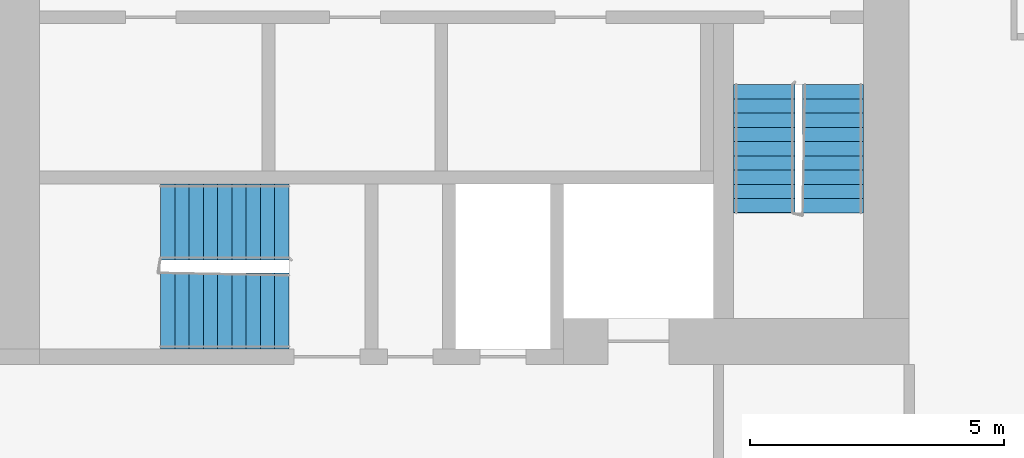
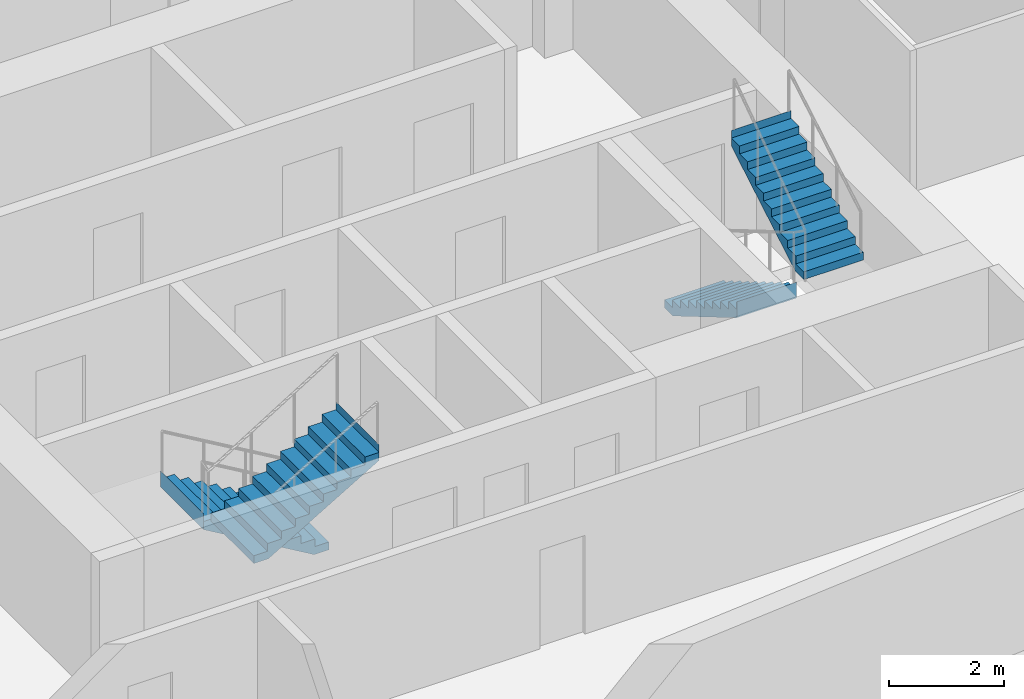
# One storey, part 8 of 11: 4 stair flights, 2 elements without a shape of their own.
"""IFC4 building model written with IfcOpenShell, lengths in metres."""

from ifc_helpers import new_model, si_unit, direction, frame, origin, place, context, subcontext, project, spatial, faceted_brep, material, type_object, element, aggregate, save


model = new_model("IFC4")

# Units and contexts
model_context = context("Model", 3, precision=1e-05, world=origin(), true_north=direction((0.0, 1.0)))
body_context = subcontext(model_context, "Body", "Model", "MODEL_VIEW")
ifc_project = project(units=[si_unit("LENGTHUNIT", "METRE"), si_unit("AREAUNIT", "SQUARE_METRE"), si_unit("VOLUMEUNIT", "CUBIC_METRE"), si_unit("PLANEANGLEUNIT", "RADIAN"), si_unit("MASSUNIT", "GRAM", prefix="KILO")], contexts=[model_context])

# Site, building, storey
site_placement = place(None, origin())
site = spatial("IfcSite", under=ifc_project, at=site_placement, CompositionType="ELEMENT")
building_placement = place(site_placement, origin())
building = spatial("IfcBuilding", under=site, at=building_placement, Name="Kajstack Hotel Tower", CompositionType="ELEMENT")
storey_placement = place(building_placement, frame((0.0, 0.0, 271.800048828125)))
storey = spatial("IfcBuildingStorey", under=building, at=storey_placement, Name="L67", CompositionType="ELEMENT", Elevation=271.800048828125)

# Stair, stair flights
ifc_material = material(Name="Concrete C40/50", Category="concrete")
stair_type_1 = type_object("IfcStairType", Name="Exit stair 1200", PredefinedType="HALF_TURN_STAIR", material=ifc_material)
stair_1_placement = place(storey_placement, origin())
stair_1 = element("IfcStair", 1, at=stair_1_placement, inside=storey, type_object=stair_type_1, Name="L67 stair W2", PredefinedType="HALF_TURN_STAIR")
stair_flight_type_1 = type_object("IfcStairFlightType", Name="Exit stair flight 1200", PredefinedType="STRAIGHT", material=ifc_material)
stair_flight_1_placement = place(storey_placement, frame((-16.35009765625, -10.0, 0.0), z_axis=(0.0, 0.0, 1.0), x_axis=(0.0, -1.0, 0.0)))
stair_flight_1 = element("IfcStairFlight", 2, at=stair_flight_1_placement, type_object=stair_flight_type_1, Name="W2 flight 1", NumberOfRisers=10, NumberOfTreads=9, PredefinedType="STRAIGHT", RiserHeight=0.165, TreadLength=0.28, context=body_context, shape_type="Brep", body=[
    faceted_brep([(0.295654296875, -0.60009765625, 0.0), (2.5205078125, -0.60009765625, 1.31103515625), (2.5205078125, -0.60009765625, 1.64990234375), (2.52001953125, -0.60009765625, 1.64990234375), (2.52001953125, -0.60009765625, 1.485107421875), (2.239990234375, -0.60009765625, 1.485107421875), (2.239990234375, -0.60009765625, 1.320068359375), (1.9599609375, -0.60009765625, 1.320068359375), (1.9599609375, -0.60009765625, 1.155029296875), (1.679931640625, -0.60009765625, 1.155029296875), (1.679931640625, -0.60009765625, 0.989990234375), (1.39990234375, -0.60009765625, 0.989990234375), (1.39990234375, -0.60009765625, 0.824951171875), (1.1201171875, -0.60009765625, 0.824951171875), (1.1201171875, -0.60009765625, 0.659912109375), (0.840087890625, -0.60009765625, 0.659912109375), (0.840087890625, -0.60009765625, 0.4951171875), (0.56005859375, -0.60009765625, 0.4951171875), (0.56005859375, -0.60009765625, 0.330078125), (0.280029296875, -0.60009765625, 0.330078125), (0.280029296875, -0.60009765625, 0.1650390625), (-0.00048828125, -0.60009765625, 0.1650390625), (-0.00048828125, -0.60009765625, 0.0), (-0.00048828125, 0.60009765625, 0.0), (-0.00048828125, 0.60009765625, 0.1650390625), (0.280029296875, 0.60009765625, 0.1650390625), (0.280029296875, 0.60009765625, 0.330078125), (0.56005859375, 0.60009765625, 0.330078125), (0.56005859375, 0.60009765625, 0.4951171875), (0.840087890625, 0.60009765625, 0.4951171875), (0.840087890625, 0.60009765625, 0.659912109375), (1.1201171875, 0.60009765625, 0.659912109375), (1.1201171875, 0.60009765625, 0.824951171875), (1.39990234375, 0.60009765625, 0.824951171875), (1.39990234375, 0.60009765625, 0.989990234375), (1.679931640625, 0.60009765625, 0.989990234375), (1.679931640625, 0.60009765625, 1.155029296875), (1.9599609375, 0.60009765625, 1.155029296875), (1.9599609375, 0.60009765625, 1.320068359375), (2.239990234375, 0.60009765625, 1.320068359375), (2.239990234375, 0.60009765625, 1.485107421875), (2.52001953125, 0.60009765625, 1.485107421875), (2.52001953125, 0.60009765625, 1.64990234375), (2.5205078125, 0.60009765625, 1.64990234375), (2.5205078125, 0.60009765625, 1.31103515625), (0.295654296875, 0.60009765625, 0.0), (-0.00048828125, -0.300048828125, 0.1650390625), (-0.00048828125, 0.0, 0.1650390625), (-0.00048828125, 0.300048828125, 0.1650390625), (-0.00048828125, 0.300048828125, 0.0), (-0.00048828125, 0.0, 0.0), (-0.00048828125, -0.300048828125, 0.0), (0.280029296875, -0.300048828125, 0.1650390625), (0.280029296875, 0.0, 0.1650390625), (0.280029296875, 0.300048828125, 0.1650390625), (0.280029296875, -0.300048828125, 0.330078125), (0.280029296875, 0.0, 0.330078125), (0.280029296875, 0.300048828125, 0.330078125), (0.56005859375, -0.300048828125, 0.330078125), (0.56005859375, 0.0, 0.330078125), (0.56005859375, 0.300048828125, 0.330078125), (0.56005859375, -0.300048828125, 0.4951171875), (0.56005859375, 0.0, 0.4951171875), (0.56005859375, 0.300048828125, 0.4951171875), (0.840087890625, -0.300048828125, 0.4951171875), (0.840087890625, 0.0, 0.4951171875), (0.840087890625, 0.300048828125, 0.4951171875), (0.840087890625, -0.300048828125, 0.659912109375), (0.840087890625, 0.0, 0.659912109375), (0.840087890625, 0.300048828125, 0.659912109375), (1.1201171875, -0.300048828125, 0.659912109375), (1.1201171875, 0.0, 0.659912109375), (1.1201171875, 0.300048828125, 0.659912109375), (1.1201171875, -0.300048828125, 0.824951171875), (1.1201171875, 0.0, 0.824951171875), (1.1201171875, 0.300048828125, 0.824951171875), (1.39990234375, -0.300048828125, 0.824951171875), (1.39990234375, 0.0, 0.824951171875), (1.39990234375, 0.300048828125, 0.824951171875), (1.39990234375, -0.300048828125, 0.989990234375), (1.39990234375, 0.0, 0.989990234375), (1.39990234375, 0.300048828125, 0.989990234375), (1.679931640625, -0.300048828125, 0.989990234375), (1.679931640625, 0.0, 0.989990234375), (1.679931640625, 0.300048828125, 0.989990234375), (1.679931640625, -0.300048828125, 1.155029296875), (1.679931640625, 0.0, 1.155029296875), (1.679931640625, 0.300048828125, 1.155029296875), (1.9599609375, -0.300048828125, 1.155029296875), (1.9599609375, 0.0, 1.155029296875), (1.9599609375, 0.300048828125, 1.155029296875), (1.9599609375, -0.300048828125, 1.320068359375), (1.9599609375, 0.0, 1.320068359375), (1.9599609375, 0.300048828125, 1.320068359375), (2.239990234375, -0.300048828125, 1.320068359375), (2.239990234375, 0.0, 1.320068359375), (2.239990234375, 0.300048828125, 1.320068359375), (2.239990234375, -0.300048828125, 1.485107421875), (2.239990234375, 0.0, 1.485107421875), (2.239990234375, 0.300048828125, 1.485107421875), (2.52001953125, -0.300048828125, 1.485107421875), (2.52001953125, 0.0, 1.485107421875), (2.52001953125, 0.300048828125, 1.485107421875), (2.52001953125, -0.300048828125, 1.64990234375), (2.52001953125, 0.0, 1.64990234375), (2.52001953125, 0.300048828125, 1.64990234375), (2.5205078125, -0.300048828125, 1.64990234375), (2.5205078125, 0.0, 1.64990234375), (2.5205078125, 0.300048828125, 1.64990234375), (2.5205078125, -0.300048828125, 1.31103515625), (2.5205078125, 0.0, 1.31103515625), (2.5205078125, 0.300048828125, 1.31103515625), (0.295654296875, -0.300048828125, 0.0), (0.295654296875, 0.0, 0.0), (0.295654296875, 0.300048828125, 0.0)], [[[0, 1, 2, 3, 4, 5, 6, 7, 8, 9, 10, 11, 12, 13, 14, 15, 16, 17, 18, 19, 20, 21, 22]], [[23, 24, 25, 26, 27, 28, 29, 30, 31, 32, 33, 34, 35, 36, 37, 38, 39, 40, 41, 42, 43, 44, 45]], [[21, 46, 47, 48, 24, 23, 49, 50, 51, 22]], [[20, 52, 53, 54, 25, 24, 48, 47, 46, 21]], [[19, 55, 56, 57, 26, 25, 54, 53, 52, 20]], [[18, 58, 59, 60, 27, 26, 57, 56, 55, 19]], [[17, 61, 62, 63, 28, 27, 60, 59, 58, 18]], [[16, 64, 65, 66, 29, 28, 63, 62, 61, 17]], [[15, 67, 68, 69, 30, 29, 66, 65, 64, 16]], [[14, 70, 71, 72, 31, 30, 69, 68, 67, 15]], [[13, 73, 74, 75, 32, 31, 72, 71, 70, 14]], [[12, 76, 77, 78, 33, 32, 75, 74, 73, 13]], [[11, 79, 80, 81, 34, 33, 78, 77, 76, 12]], [[10, 82, 83, 84, 35, 34, 81, 80, 79, 11]], [[9, 85, 86, 87, 36, 35, 84, 83, 82, 10]], [[8, 88, 89, 90, 37, 36, 87, 86, 85, 9]], [[7, 91, 92, 93, 38, 37, 90, 89, 88, 8]], [[6, 94, 95, 96, 39, 38, 93, 92, 91, 7]], [[5, 97, 98, 99, 40, 39, 96, 95, 94, 6]], [[4, 100, 101, 102, 41, 40, 99, 98, 97, 5]], [[3, 103, 104, 105, 42, 41, 102, 101, 100, 4]], [[2, 106, 107, 108, 43, 42, 105, 104, 103, 3]], [[1, 109, 110, 111, 44, 43, 108, 107, 106, 2]], [[0, 112, 113, 114, 45, 44, 111, 110, 109, 1]], [[22, 51, 50, 49, 23, 45, 114, 113, 112, 0]]]),
])
stair_flight_2_placement = place(storey_placement, frame((-15.0, -12.52001953125, 1.64990234375), z_axis=(0.0, 0.0, 1.0), x_axis=(0.0, 1.0, 0.0)))
stair_flight_2 = element("IfcStairFlight", 3, at=stair_flight_2_placement, type_object=stair_flight_type_1, Name="W2 flight 2", NumberOfRisers=10, NumberOfTreads=9, PredefinedType="STRAIGHT", RiserHeight=0.165, TreadLength=0.28, context=body_context, shape_type="Brep", body=[
    faceted_brep([(0.295654296875, -0.60009765625, 0.0), (2.5205078125, -0.60009765625, 1.31103515625), (2.5205078125, -0.60009765625, 1.64990234375), (2.52001953125, -0.60009765625, 1.64990234375), (2.52001953125, -0.60009765625, 1.485107421875), (2.239990234375, -0.60009765625, 1.485107421875), (2.239990234375, -0.60009765625, 1.320068359375), (1.9599609375, -0.60009765625, 1.320068359375), (1.9599609375, -0.60009765625, 1.155029296875), (1.679931640625, -0.60009765625, 1.155029296875), (1.679931640625, -0.60009765625, 0.989990234375), (1.39990234375, -0.60009765625, 0.989990234375), (1.39990234375, -0.60009765625, 0.824951171875), (1.1201171875, -0.60009765625, 0.824951171875), (1.1201171875, -0.60009765625, 0.659912109375), (0.840087890625, -0.60009765625, 0.659912109375), (0.840087890625, -0.60009765625, 0.4951171875), (0.56005859375, -0.60009765625, 0.4951171875), (0.56005859375, -0.60009765625, 0.330078125), (0.280029296875, -0.60009765625, 0.330078125), (0.280029296875, -0.60009765625, 0.1650390625), (-0.00048828125, -0.60009765625, 0.1650390625), (-0.00048828125, -0.60009765625, 0.0), (-0.00048828125, 0.60009765625, 0.0), (-0.00048828125, 0.60009765625, 0.1650390625), (0.280029296875, 0.60009765625, 0.1650390625), (0.280029296875, 0.60009765625, 0.330078125), (0.56005859375, 0.60009765625, 0.330078125), (0.56005859375, 0.60009765625, 0.4951171875), (0.840087890625, 0.60009765625, 0.4951171875), (0.840087890625, 0.60009765625, 0.659912109375), (1.1201171875, 0.60009765625, 0.659912109375), (1.1201171875, 0.60009765625, 0.824951171875), (1.39990234375, 0.60009765625, 0.824951171875), (1.39990234375, 0.60009765625, 0.989990234375), (1.679931640625, 0.60009765625, 0.989990234375), (1.679931640625, 0.60009765625, 1.155029296875), (1.9599609375, 0.60009765625, 1.155029296875), (1.9599609375, 0.60009765625, 1.320068359375), (2.239990234375, 0.60009765625, 1.320068359375), (2.239990234375, 0.60009765625, 1.485107421875), (2.52001953125, 0.60009765625, 1.485107421875), (2.52001953125, 0.60009765625, 1.64990234375), (2.5205078125, 0.60009765625, 1.64990234375), (2.5205078125, 0.60009765625, 1.31103515625), (0.295654296875, 0.60009765625, 0.0), (-0.00048828125, -0.300048828125, 0.1650390625), (-0.00048828125, 0.0, 0.1650390625), (-0.00048828125, 0.300048828125, 0.1650390625), (-0.00048828125, 0.300048828125, 0.0), (-0.00048828125, 0.0, 0.0), (-0.00048828125, -0.300048828125, 0.0), (0.280029296875, -0.300048828125, 0.1650390625), (0.280029296875, 0.0, 0.1650390625), (0.280029296875, 0.300048828125, 0.1650390625), (0.280029296875, -0.300048828125, 0.330078125), (0.280029296875, 0.0, 0.330078125), (0.280029296875, 0.300048828125, 0.330078125), (0.56005859375, -0.300048828125, 0.330078125), (0.56005859375, 0.0, 0.330078125), (0.56005859375, 0.300048828125, 0.330078125), (0.56005859375, -0.300048828125, 0.4951171875), (0.56005859375, 0.0, 0.4951171875), (0.56005859375, 0.300048828125, 0.4951171875), (0.840087890625, -0.300048828125, 0.4951171875), (0.840087890625, 0.0, 0.4951171875), (0.840087890625, 0.300048828125, 0.4951171875), (0.840087890625, -0.300048828125, 0.659912109375), (0.840087890625, 0.0, 0.659912109375), (0.840087890625, 0.300048828125, 0.659912109375), (1.1201171875, -0.300048828125, 0.659912109375), (1.1201171875, 0.0, 0.659912109375), (1.1201171875, 0.300048828125, 0.659912109375), (1.1201171875, -0.300048828125, 0.824951171875), (1.1201171875, 0.0, 0.824951171875), (1.1201171875, 0.300048828125, 0.824951171875), (1.39990234375, -0.300048828125, 0.824951171875), (1.39990234375, 0.0, 0.824951171875), (1.39990234375, 0.300048828125, 0.824951171875), (1.39990234375, -0.300048828125, 0.989990234375), (1.39990234375, 0.0, 0.989990234375), (1.39990234375, 0.300048828125, 0.989990234375), (1.679931640625, -0.300048828125, 0.989990234375), (1.679931640625, 0.0, 0.989990234375), (1.679931640625, 0.300048828125, 0.989990234375), (1.679931640625, -0.300048828125, 1.155029296875), (1.679931640625, 0.0, 1.155029296875), (1.679931640625, 0.300048828125, 1.155029296875), (1.9599609375, -0.300048828125, 1.155029296875), (1.9599609375, 0.0, 1.155029296875), (1.9599609375, 0.300048828125, 1.155029296875), (1.9599609375, -0.300048828125, 1.320068359375), (1.9599609375, 0.0, 1.320068359375), (1.9599609375, 0.300048828125, 1.320068359375), (2.239990234375, -0.300048828125, 1.320068359375), (2.239990234375, 0.0, 1.320068359375), (2.239990234375, 0.300048828125, 1.320068359375), (2.239990234375, -0.300048828125, 1.485107421875), (2.239990234375, 0.0, 1.485107421875), (2.239990234375, 0.300048828125, 1.485107421875), (2.52001953125, -0.300048828125, 1.485107421875), (2.52001953125, 0.0, 1.485107421875), (2.52001953125, 0.300048828125, 1.485107421875), (2.52001953125, -0.300048828125, 1.64990234375), (2.52001953125, 0.0, 1.64990234375), (2.52001953125, 0.300048828125, 1.64990234375), (2.5205078125, -0.300048828125, 1.64990234375), (2.5205078125, 0.0, 1.64990234375), (2.5205078125, 0.300048828125, 1.64990234375), (2.5205078125, -0.300048828125, 1.31103515625), (2.5205078125, 0.0, 1.31103515625), (2.5205078125, 0.300048828125, 1.31103515625), (0.295654296875, -0.300048828125, 0.0), (0.295654296875, 0.0, 0.0), (0.295654296875, 0.300048828125, 0.0)], [[[0, 1, 2, 3, 4, 5, 6, 7, 8, 9, 10, 11, 12, 13, 14, 15, 16, 17, 18, 19, 20, 21, 22]], [[23, 24, 25, 26, 27, 28, 29, 30, 31, 32, 33, 34, 35, 36, 37, 38, 39, 40, 41, 42, 43, 44, 45]], [[21, 46, 47, 48, 24, 23, 49, 50, 51, 22]], [[20, 52, 53, 54, 25, 24, 48, 47, 46, 21]], [[19, 55, 56, 57, 26, 25, 54, 53, 52, 20]], [[18, 58, 59, 60, 27, 26, 57, 56, 55, 19]], [[17, 61, 62, 63, 28, 27, 60, 59, 58, 18]], [[16, 64, 65, 66, 29, 28, 63, 62, 61, 17]], [[15, 67, 68, 69, 30, 29, 66, 65, 64, 16]], [[14, 70, 71, 72, 31, 30, 69, 68, 67, 15]], [[13, 73, 74, 75, 32, 31, 72, 71, 70, 14]], [[12, 76, 77, 78, 33, 32, 75, 74, 73, 13]], [[11, 79, 80, 81, 34, 33, 78, 77, 76, 12]], [[10, 82, 83, 84, 35, 34, 81, 80, 79, 11]], [[9, 85, 86, 87, 36, 35, 84, 83, 82, 10]], [[8, 88, 89, 90, 37, 36, 87, 86, 85, 9]], [[7, 91, 92, 93, 38, 37, 90, 89, 88, 8]], [[6, 94, 95, 96, 39, 38, 93, 92, 91, 7]], [[5, 97, 98, 99, 40, 39, 96, 95, 94, 6]], [[4, 100, 101, 102, 41, 40, 99, 98, 97, 5]], [[3, 103, 104, 105, 42, 41, 102, 101, 100, 4]], [[2, 106, 107, 108, 43, 42, 105, 104, 103, 3]], [[1, 109, 110, 111, 44, 43, 108, 107, 106, 2]], [[0, 112, 113, 114, 45, 44, 111, 110, 109, 1]], [[22, 51, 50, 49, 23, 45, 114, 113, 112, 0]]]),
])
aggregate(stair_1, [stair_flight_1, stair_flight_2])

stair_type_2 = type_object("IfcStairType", Name="Exit stair 1500", PredefinedType="HALF_TURN_STAIR", material=ifc_material)
stair_2_placement = place(storey_placement, origin())
stair_2 = element("IfcStair", 4, at=stair_2_placement, inside=storey, type_object=stair_type_2, Name="L67 stair W3", PredefinedType="HALF_TURN_STAIR")
stair_flight_type_2 = type_object("IfcStairFlightType", Name="Exit stair flight 1500", PredefinedType="STRAIGHT", material=ifc_material)
stair_flight_3_placement = place(storey_placement, frame((-25.699951171875, -12.699951171875, 0.0), z_axis=(0.0, 0.0, 1.0), x_axis=(-1.0, 0.0, 0.0)))
stair_flight_3 = element("IfcStairFlight", 5, at=stair_flight_3_placement, type_object=stair_flight_type_2, Name="W3 flight 1", NumberOfRisers=10, NumberOfTreads=9, PredefinedType="STRAIGHT", RiserHeight=0.165, TreadLength=0.28, context=body_context, shape_type="Brep", body=[
    faceted_brep([(0.295654296875, -0.75, 0.0), (2.5205078125, -0.75, 1.31103515625), (2.5205078125, -0.75, 1.64990234375), (2.52001953125, -0.75, 1.64990234375), (2.52001953125, -0.75, 1.485107421875), (2.239990234375, -0.75, 1.485107421875), (2.239990234375, -0.75, 1.320068359375), (1.9599609375, -0.75, 1.320068359375), (1.9599609375, -0.75, 1.155029296875), (1.679931640625, -0.75, 1.155029296875), (1.679931640625, -0.75, 0.989990234375), (1.39990234375, -0.75, 0.989990234375), (1.39990234375, -0.75, 0.824951171875), (1.1201171875, -0.75, 0.824951171875), (1.1201171875, -0.75, 0.659912109375), (0.840087890625, -0.75, 0.659912109375), (0.840087890625, -0.75, 0.4951171875), (0.56005859375, -0.75, 0.4951171875), (0.56005859375, -0.75, 0.330078125), (0.280029296875, -0.75, 0.330078125), (0.280029296875, -0.75, 0.1650390625), (-0.00048828125, -0.75, 0.1650390625), (-0.00048828125, -0.75, 0.0), (-0.00048828125, 0.75, 0.0), (-0.00048828125, 0.75, 0.1650390625), (0.280029296875, 0.75, 0.1650390625), (0.280029296875, 0.75, 0.330078125), (0.56005859375, 0.75, 0.330078125), (0.56005859375, 0.75, 0.4951171875), (0.840087890625, 0.75, 0.4951171875), (0.840087890625, 0.75, 0.659912109375), (1.1201171875, 0.75, 0.659912109375), (1.1201171875, 0.75, 0.824951171875), (1.39990234375, 0.75, 0.824951171875), (1.39990234375, 0.75, 0.989990234375), (1.679931640625, 0.75, 0.989990234375), (1.679931640625, 0.75, 1.155029296875), (1.9599609375, 0.75, 1.155029296875), (1.9599609375, 0.75, 1.320068359375), (2.239990234375, 0.75, 1.320068359375), (2.239990234375, 0.75, 1.485107421875), (2.52001953125, 0.75, 1.485107421875), (2.52001953125, 0.75, 1.64990234375), (2.5205078125, 0.75, 1.64990234375), (2.5205078125, 0.75, 1.31103515625), (0.295654296875, 0.75, 0.0), (-0.00048828125, -0.375, 0.1650390625), (-0.00048828125, 0.0, 0.1650390625), (-0.00048828125, 0.375, 0.1650390625), (-0.00048828125, 0.375, 0.0), (-0.00048828125, 0.0, 0.0), (-0.00048828125, -0.375, 0.0), (0.280029296875, -0.375, 0.1650390625), (0.280029296875, 0.0, 0.1650390625), (0.280029296875, 0.375, 0.1650390625), (0.280029296875, -0.375, 0.330078125), (0.280029296875, 0.0, 0.330078125), (0.280029296875, 0.375, 0.330078125), (0.56005859375, -0.375, 0.330078125), (0.56005859375, 0.0, 0.330078125), (0.56005859375, 0.375, 0.330078125), (0.56005859375, -0.375, 0.4951171875), (0.56005859375, 0.0, 0.4951171875), (0.56005859375, 0.375, 0.4951171875), (0.840087890625, -0.375, 0.4951171875), (0.840087890625, 0.0, 0.4951171875), (0.840087890625, 0.375, 0.4951171875), (0.840087890625, -0.375, 0.659912109375), (0.840087890625, 0.0, 0.659912109375), (0.840087890625, 0.375, 0.659912109375), (1.1201171875, -0.375, 0.659912109375), (1.1201171875, 0.0, 0.659912109375), (1.1201171875, 0.375, 0.659912109375), (1.1201171875, -0.375, 0.824951171875), (1.1201171875, 0.0, 0.824951171875), (1.1201171875, 0.375, 0.824951171875), (1.39990234375, -0.375, 0.824951171875), (1.39990234375, 0.0, 0.824951171875), (1.39990234375, 0.375, 0.824951171875), (1.39990234375, -0.375, 0.989990234375), (1.39990234375, 0.0, 0.989990234375), (1.39990234375, 0.375, 0.989990234375), (1.679931640625, -0.375, 0.989990234375), (1.679931640625, 0.0, 0.989990234375), (1.679931640625, 0.375, 0.989990234375), (1.679931640625, -0.375, 1.155029296875), (1.679931640625, 0.0, 1.155029296875), (1.679931640625, 0.375, 1.155029296875), (1.9599609375, -0.375, 1.155029296875), (1.9599609375, 0.0, 1.155029296875), (1.9599609375, 0.375, 1.155029296875), (1.9599609375, -0.375, 1.320068359375), (1.9599609375, 0.0, 1.320068359375), (1.9599609375, 0.375, 1.320068359375), (2.239990234375, -0.375, 1.320068359375), (2.239990234375, 0.0, 1.320068359375), (2.239990234375, 0.375, 1.320068359375), (2.239990234375, -0.375, 1.485107421875), (2.239990234375, 0.0, 1.485107421875), (2.239990234375, 0.375, 1.485107421875), (2.52001953125, -0.375, 1.485107421875), (2.52001953125, 0.0, 1.485107421875), (2.52001953125, 0.375, 1.485107421875), (2.52001953125, -0.375, 1.64990234375), (2.52001953125, 0.0, 1.64990234375), (2.52001953125, 0.375, 1.64990234375), (2.5205078125, -0.375, 1.64990234375), (2.5205078125, 0.0, 1.64990234375), (2.5205078125, 0.375, 1.64990234375), (2.5205078125, -0.375, 1.31103515625), (2.5205078125, 0.0, 1.31103515625), (2.5205078125, 0.375, 1.31103515625), (0.295654296875, -0.375, 0.0), (0.295654296875, 0.0, 0.0), (0.295654296875, 0.375, 0.0)], [[[0, 1, 2, 3, 4, 5, 6, 7, 8, 9, 10, 11, 12, 13, 14, 15, 16, 17, 18, 19, 20, 21, 22]], [[23, 24, 25, 26, 27, 28, 29, 30, 31, 32, 33, 34, 35, 36, 37, 38, 39, 40, 41, 42, 43, 44, 45]], [[21, 46, 47, 48, 24, 23, 49, 50, 51, 22]], [[20, 52, 53, 54, 25, 24, 48, 47, 46, 21]], [[19, 55, 56, 57, 26, 25, 54, 53, 52, 20]], [[18, 58, 59, 60, 27, 26, 57, 56, 55, 19]], [[17, 61, 62, 63, 28, 27, 60, 59, 58, 18]], [[16, 64, 65, 66, 29, 28, 63, 62, 61, 17]], [[15, 67, 68, 69, 30, 29, 66, 65, 64, 16]], [[14, 70, 71, 72, 31, 30, 69, 68, 67, 15]], [[13, 73, 74, 75, 32, 31, 72, 71, 70, 14]], [[12, 76, 77, 78, 33, 32, 75, 74, 73, 13]], [[11, 79, 80, 81, 34, 33, 78, 77, 76, 12]], [[10, 82, 83, 84, 35, 34, 81, 80, 79, 11]], [[9, 85, 86, 87, 36, 35, 84, 83, 82, 10]], [[8, 88, 89, 90, 37, 36, 87, 86, 85, 9]], [[7, 91, 92, 93, 38, 37, 90, 89, 88, 8]], [[6, 94, 95, 96, 39, 38, 93, 92, 91, 7]], [[5, 97, 98, 99, 40, 39, 96, 95, 94, 6]], [[4, 100, 101, 102, 41, 40, 99, 98, 97, 5]], [[3, 103, 104, 105, 42, 41, 102, 101, 100, 4]], [[2, 106, 107, 108, 43, 42, 105, 104, 103, 3]], [[1, 109, 110, 111, 44, 43, 108, 107, 106, 2]], [[0, 112, 113, 114, 45, 44, 111, 110, 109, 1]], [[22, 51, 50, 49, 23, 45, 114, 113, 112, 0]]]),
])
stair_flight_4_placement = place(storey_placement, frame((-28.219970703125, -14.449951171875, 1.64990234375), z_axis=(0.0, 0.0, 1.0), x_axis=(1.0, 0.0, 0.0)))
stair_flight_4 = element("IfcStairFlight", 6, at=stair_flight_4_placement, type_object=stair_flight_type_2, Name="W3 flight 2", NumberOfRisers=10, NumberOfTreads=9, PredefinedType="STRAIGHT", RiserHeight=0.165, TreadLength=0.28, context=body_context, shape_type="Brep", body=[
    faceted_brep([(0.295654296875, -0.75, 0.0), (2.5205078125, -0.75, 1.31103515625), (2.5205078125, -0.75, 1.64990234375), (2.52001953125, -0.75, 1.64990234375), (2.52001953125, -0.75, 1.485107421875), (2.239990234375, -0.75, 1.485107421875), (2.239990234375, -0.75, 1.320068359375), (1.9599609375, -0.75, 1.320068359375), (1.9599609375, -0.75, 1.155029296875), (1.679931640625, -0.75, 1.155029296875), (1.679931640625, -0.75, 0.989990234375), (1.39990234375, -0.75, 0.989990234375), (1.39990234375, -0.75, 0.824951171875), (1.1201171875, -0.75, 0.824951171875), (1.1201171875, -0.75, 0.659912109375), (0.840087890625, -0.75, 0.659912109375), (0.840087890625, -0.75, 0.4951171875), (0.56005859375, -0.75, 0.4951171875), (0.56005859375, -0.75, 0.330078125), (0.280029296875, -0.75, 0.330078125), (0.280029296875, -0.75, 0.1650390625), (-0.00048828125, -0.75, 0.1650390625), (-0.00048828125, -0.75, 0.0), (-0.00048828125, 0.75, 0.0), (-0.00048828125, 0.75, 0.1650390625), (0.280029296875, 0.75, 0.1650390625), (0.280029296875, 0.75, 0.330078125), (0.56005859375, 0.75, 0.330078125), (0.56005859375, 0.75, 0.4951171875), (0.840087890625, 0.75, 0.4951171875), (0.840087890625, 0.75, 0.659912109375), (1.1201171875, 0.75, 0.659912109375), (1.1201171875, 0.75, 0.824951171875), (1.39990234375, 0.75, 0.824951171875), (1.39990234375, 0.75, 0.989990234375), (1.679931640625, 0.75, 0.989990234375), (1.679931640625, 0.75, 1.155029296875), (1.9599609375, 0.75, 1.155029296875), (1.9599609375, 0.75, 1.320068359375), (2.239990234375, 0.75, 1.320068359375), (2.239990234375, 0.75, 1.485107421875), (2.52001953125, 0.75, 1.485107421875), (2.52001953125, 0.75, 1.64990234375), (2.5205078125, 0.75, 1.64990234375), (2.5205078125, 0.75, 1.31103515625), (0.295654296875, 0.75, 0.0), (-0.00048828125, -0.375, 0.1650390625), (-0.00048828125, 0.0, 0.1650390625), (-0.00048828125, 0.375, 0.1650390625), (-0.00048828125, 0.375, 0.0), (-0.00048828125, 0.0, 0.0), (-0.00048828125, -0.375, 0.0), (0.280029296875, -0.375, 0.1650390625), (0.280029296875, 0.0, 0.1650390625), (0.280029296875, 0.375, 0.1650390625), (0.280029296875, -0.375, 0.330078125), (0.280029296875, 0.0, 0.330078125), (0.280029296875, 0.375, 0.330078125), (0.56005859375, -0.375, 0.330078125), (0.56005859375, 0.0, 0.330078125), (0.56005859375, 0.375, 0.330078125), (0.56005859375, -0.375, 0.4951171875), (0.56005859375, 0.0, 0.4951171875), (0.56005859375, 0.375, 0.4951171875), (0.840087890625, -0.375, 0.4951171875), (0.840087890625, 0.0, 0.4951171875), (0.840087890625, 0.375, 0.4951171875), (0.840087890625, -0.375, 0.659912109375), (0.840087890625, 0.0, 0.659912109375), (0.840087890625, 0.375, 0.659912109375), (1.1201171875, -0.375, 0.659912109375), (1.1201171875, 0.0, 0.659912109375), (1.1201171875, 0.375, 0.659912109375), (1.1201171875, -0.375, 0.824951171875), (1.1201171875, 0.0, 0.824951171875), (1.1201171875, 0.375, 0.824951171875), (1.39990234375, -0.375, 0.824951171875), (1.39990234375, 0.0, 0.824951171875), (1.39990234375, 0.375, 0.824951171875), (1.39990234375, -0.375, 0.989990234375), (1.39990234375, 0.0, 0.989990234375), (1.39990234375, 0.375, 0.989990234375), (1.679931640625, -0.375, 0.989990234375), (1.679931640625, 0.0, 0.989990234375), (1.679931640625, 0.375, 0.989990234375), (1.679931640625, -0.375, 1.155029296875), (1.679931640625, 0.0, 1.155029296875), (1.679931640625, 0.375, 1.155029296875), (1.9599609375, -0.375, 1.155029296875), (1.9599609375, 0.0, 1.155029296875), (1.9599609375, 0.375, 1.155029296875), (1.9599609375, -0.375, 1.320068359375), (1.9599609375, 0.0, 1.320068359375), (1.9599609375, 0.375, 1.320068359375), (2.239990234375, -0.375, 1.320068359375), (2.239990234375, 0.0, 1.320068359375), (2.239990234375, 0.375, 1.320068359375), (2.239990234375, -0.375, 1.485107421875), (2.239990234375, 0.0, 1.485107421875), (2.239990234375, 0.375, 1.485107421875), (2.52001953125, -0.375, 1.485107421875), (2.52001953125, 0.0, 1.485107421875), (2.52001953125, 0.375, 1.485107421875), (2.52001953125, -0.375, 1.64990234375), (2.52001953125, 0.0, 1.64990234375), (2.52001953125, 0.375, 1.64990234375), (2.5205078125, -0.375, 1.64990234375), (2.5205078125, 0.0, 1.64990234375), (2.5205078125, 0.375, 1.64990234375), (2.5205078125, -0.375, 1.31103515625), (2.5205078125, 0.0, 1.31103515625), (2.5205078125, 0.375, 1.31103515625), (0.295654296875, -0.375, 0.0), (0.295654296875, 0.0, 0.0), (0.295654296875, 0.375, 0.0)], [[[0, 1, 2, 3, 4, 5, 6, 7, 8, 9, 10, 11, 12, 13, 14, 15, 16, 17, 18, 19, 20, 21, 22]], [[23, 24, 25, 26, 27, 28, 29, 30, 31, 32, 33, 34, 35, 36, 37, 38, 39, 40, 41, 42, 43, 44, 45]], [[21, 46, 47, 48, 24, 23, 49, 50, 51, 22]], [[20, 52, 53, 54, 25, 24, 48, 47, 46, 21]], [[19, 55, 56, 57, 26, 25, 54, 53, 52, 20]], [[18, 58, 59, 60, 27, 26, 57, 56, 55, 19]], [[17, 61, 62, 63, 28, 27, 60, 59, 58, 18]], [[16, 64, 65, 66, 29, 28, 63, 62, 61, 17]], [[15, 67, 68, 69, 30, 29, 66, 65, 64, 16]], [[14, 70, 71, 72, 31, 30, 69, 68, 67, 15]], [[13, 73, 74, 75, 32, 31, 72, 71, 70, 14]], [[12, 76, 77, 78, 33, 32, 75, 74, 73, 13]], [[11, 79, 80, 81, 34, 33, 78, 77, 76, 12]], [[10, 82, 83, 84, 35, 34, 81, 80, 79, 11]], [[9, 85, 86, 87, 36, 35, 84, 83, 82, 10]], [[8, 88, 89, 90, 37, 36, 87, 86, 85, 9]], [[7, 91, 92, 93, 38, 37, 90, 89, 88, 8]], [[6, 94, 95, 96, 39, 38, 93, 92, 91, 7]], [[5, 97, 98, 99, 40, 39, 96, 95, 94, 6]], [[4, 100, 101, 102, 41, 40, 99, 98, 97, 5]], [[3, 103, 104, 105, 42, 41, 102, 101, 100, 4]], [[2, 106, 107, 108, 43, 42, 105, 104, 103, 3]], [[1, 109, 110, 111, 44, 43, 108, 107, 106, 2]], [[0, 112, 113, 114, 45, 44, 111, 110, 109, 1]], [[22, 51, 50, 49, 23, 45, 114, 113, 112, 0]]]),
])
aggregate(stair_2, [stair_flight_3, stair_flight_4])

save(model, "model.ifc")
